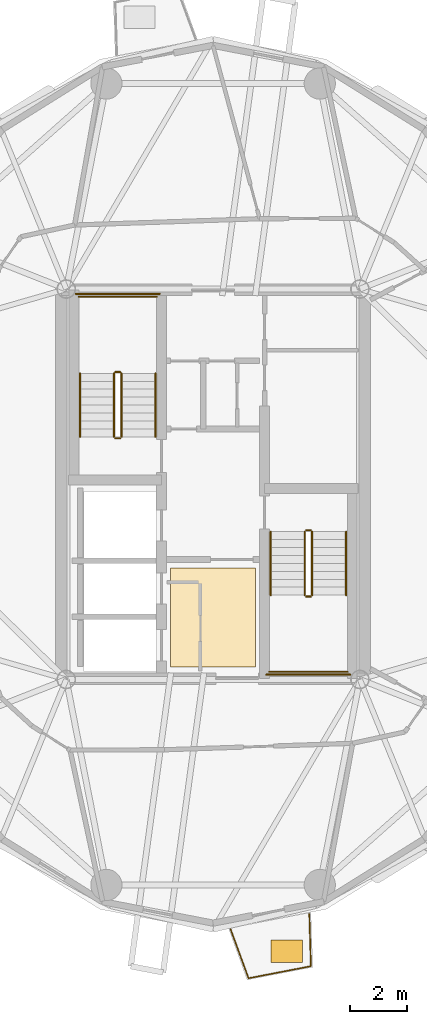
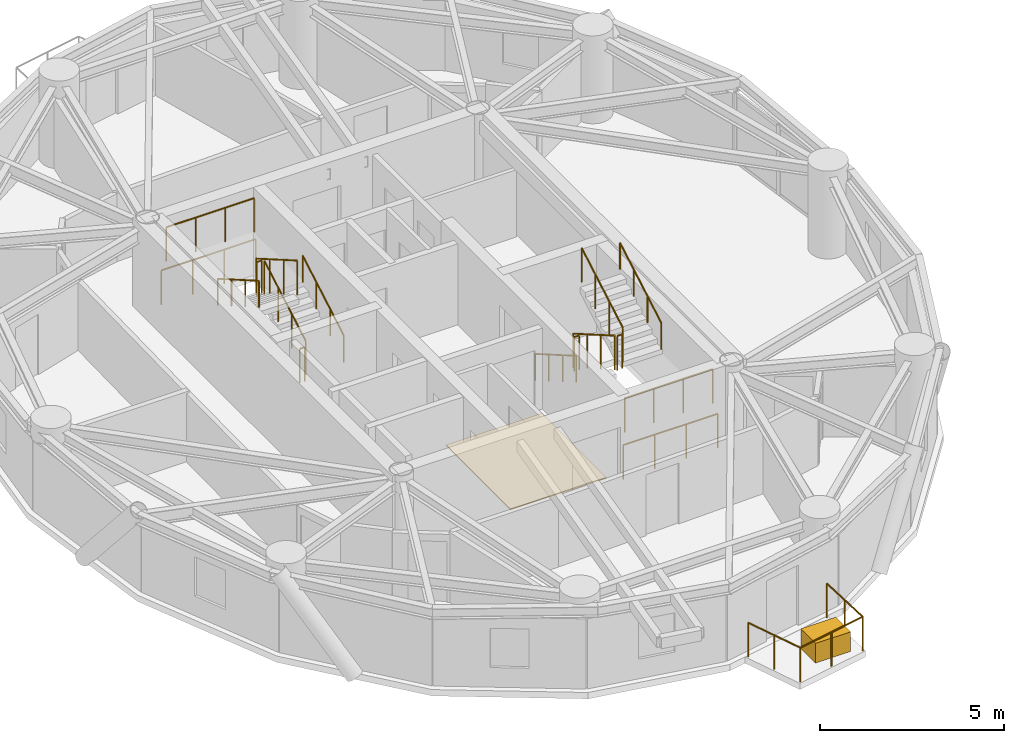
# One storey, part 15 of 17: 17 railings, 2 coverings.
"""IFC4 building model written with IfcOpenShell, lengths in metres."""

from ifc_helpers import new_model, si_unit, direction, frame, origin, origin_2d, place, context, subcontext, project, spatial, polyline, rectangle, circle, outline, extrude, source, transform, mapped, material, layer, layer_set, type_object, element, save


model = new_model("IFC4")

# Units and contexts
model_context = context("Model", 3, precision=1e-05, world=origin(), true_north=direction((0.0, 1.0)))
body_context = subcontext(model_context, "Body", "Model", "MODEL_VIEW")
ifc_project = project(units=[si_unit("LENGTHUNIT", "METRE"), si_unit("AREAUNIT", "SQUARE_METRE"), si_unit("VOLUMEUNIT", "CUBIC_METRE"), si_unit("PLANEANGLEUNIT", "RADIAN"), si_unit("MASSUNIT", "GRAM", prefix="KILO")], contexts=[model_context])

# Site, building, storey
site_placement = place(None, origin())
site = spatial("IfcSite", under=ifc_project, at=site_placement, CompositionType="ELEMENT")
building_placement = place(site_placement, origin())
building = spatial("IfcBuilding", under=site, at=building_placement, Name="Cununo Teusaquillo Station Towers", CompositionType="ELEMENT")
storey_placement = place(building_placement, frame((0.0, 0.0, 205.389892578125)))
storey = spatial("IfcBuildingStorey", under=building, at=storey_placement, Name="L65", CompositionType="ELEMENT", Elevation=205.389892578125)

# Covering
ifc_material_1 = material(Name="Polished basalt-chip terrazzo floor finish", Category="masonry")
ifc_layer_1 = layer(ifc_material_1, 0.034912109375)
ifc_layer_set_1 = layer_set([ifc_layer_1], Name="Polished basalt-chip terrazzo floor finish")
covering_type_1 = type_object("IfcCoveringType", Name="COV-FLR-TERR", PredefinedType="FLOORING", material=ifc_layer_set_1)
covering_1_placement = place(storey_placement, origin())
element("IfcCovering", 1, at=covering_1_placement, inside=storey, type_object=covering_type_1, Name="L65 Polished Terrazzo Floor Finish", PredefinedType="FLOORING", context=body_context, shape_type="SweptSolid", body=[
    extrude(outline(polyline([(15.0, 18.050048828125), (18.0, 18.050048828125), (18.0, 21.550048828125), (15.0, 21.550048828125), (15.0, 18.050048828125)])), origin(), (0.0, 0.0, 1.0), 0.03515625),
])

# Railings
ifc_material_2 = material(Name="Anodised dark bronze aluminium EN AW-6063-T6", Category="aluminium")
railing_type_1 = type_object("IfcRailingType", Name="RL-EXT-GUARD", PredefinedType="GUARDRAIL", material=ifc_material_2)
railing_1_placement = place(storey_placement, frame((19.892578125, 9.356201171875, 0.0)))
element("IfcRailing", 2, at=railing_1_placement, inside=storey, type_object=railing_type_1, Name="L65 Tower A Balcony Guardrail C15", PredefinedType="GUARDRAIL", context=body_context, shape_type="SweptSolid", body=[
    extrude(circle(Radius=0.02392578125, at=origin_2d()), frame((0.0, 0.0, 1.1259765625), z_axis=(0.030305152758, -0.999540693377, 0.0), x_axis=(0.999540693377, 0.030305152758, 0.0)), (0.0, 0.0, 1.0), 1.8447265625),
    extrude(circle(Radius=0.02392578125, at=origin_2d()), frame((0.055908203125, -1.843994140625, 1.1259765625), z_axis=(-0.981834932982, -0.18973709278, 0.0), x_axis=(0.18973709278, -0.981834932982, 0.0)), (0.0, 0.0, 1.0), 2.239013671875),
    extrude(circle(Radius=0.02392578125, at=origin_2d()), frame((-2.142333984375, -2.268798828125, 1.1259765625), z_axis=(-0.344196323776, 0.938897699805, 0.0), x_axis=(-0.938897699805, -0.344196323776, 0.0)), (0.0, 0.0, 1.0), 1.844970703125),
    extrude(circle(Radius=0.02099609375, at=origin_2d()), origin(), (0.0, 0.0, 1.0), 1.101806640625),
    extrude(circle(Radius=0.02099609375, at=origin_2d()), frame((0.02783203125, -0.921875, 0.0)), (0.0, 0.0, 1.0), 1.101806640625),
    extrude(circle(Radius=0.02099609375, at=origin_2d()), frame((0.055908203125, -1.843994140625, 0.0)), (0.0, 0.0, 1.0), 1.101806640625),
    extrude(circle(Radius=0.02099609375, at=origin_2d()), frame((-1.043212890625, -2.056396484375, 0.0)), (0.0, 0.0, 1.0), 1.101806640625),
    extrude(circle(Radius=0.02099609375, at=origin_2d()), frame((-2.142333984375, -2.268798828125, 0.0)), (0.0, 0.0, 1.0), 1.101806640625),
    extrude(circle(Radius=0.02099609375, at=origin_2d()), frame((-2.4599609375, -1.40283203125, 0.0)), (0.0, 0.0, 1.0), 1.101806640625),
    extrude(circle(Radius=0.02099609375, at=origin_2d()), frame((-2.77734375, -0.53662109375, 0.0)), (0.0, 0.0, 1.0), 1.101806640625),
])
ifc_material_3 = material(Name="Steel EN 10025-2 S355J2", Category="steel")
railing_type_2 = type_object("IfcRailingType", Name="RL-INT-GUARD", PredefinedType="GUARDRAIL", material=ifc_material_3)
railing_2_placement = place(storey_placement, frame((13.27001953125, 26.169921875, 0.161865234375)))
element("IfcRailing", 3, at=railing_2_placement, inside=storey, type_object=railing_type_2, Name="L65 ST-T1-1 stair guard 1", PredefinedType="GUARDRAIL", context=body_context, shape_type="SweptSolid", body=[
    extrude(circle(Radius=0.02392578125, at=origin_2d()), frame((0.0, 0.0, 1.1259765625), z_axis=(0.0, 0.866033117094, 0.499986639918), x_axis=(-1.0, 0.0, 0.0)), (0.0, 0.0, 1.0), 2.58642578125),
    extrude(circle(Radius=0.02099609375, at=origin_2d()), origin(), (0.0, 0.0, 1.0), 1.101806640625),
    extrude(circle(Radius=0.02099609375, at=origin_2d()), frame((0.0, 0.74658203125, 0.43115234375)), (0.0, 0.0, 1.0), 1.101806640625),
    extrude(circle(Radius=0.02099609375, at=origin_2d()), frame((0.0, 1.493408203125, 0.862060546875)), (0.0, 0.0, 1.0), 1.101806640625),
    extrude(circle(Radius=0.02099609375, at=origin_2d()), frame((0.0, 2.239990234375, 1.293212890625)), (0.0, 0.0, 1.0), 1.101806640625),
])
railing_3_placement = place(storey_placement, frame((13.219970703125, 28.4599609375, 1.455078125)))
element("IfcRailing", 4, at=railing_3_placement, inside=storey, type_object=railing_type_2, Name="L65 ST-T1-1 stair guard 2", PredefinedType="GUARDRAIL", context=body_context, shape_type="SweptSolid", body=[
    extrude(circle(Radius=0.02392578125, at=origin_2d()), frame((0.0, 0.0, 1.1259765625), z_axis=(-1.0, 0.0, 0.0), x_axis=(0.0, -1.0, 0.0)), (0.0, 0.0, 1.0), 0.159912109375),
    extrude(circle(Radius=0.02099609375, at=origin_2d()), origin(), (0.0, 0.0, 1.0), 1.101806640625),
    extrude(circle(Radius=0.02099609375, at=origin_2d()), frame((-0.159912109375, 0.0, 0.0)), (0.0, 0.0, 1.0), 1.101806640625),
])
railing_4_placement = place(storey_placement, frame((14.52001953125, 31.110107421875, 1.455078125)))
element("IfcRailing", 5, at=railing_4_placement, inside=storey, type_object=railing_type_2, Name="L65 ST-T1-1 stair guard 3", PredefinedType="GUARDRAIL", context=body_context, shape_type="SweptSolid", body=[
    extrude(circle(Radius=0.02392578125, at=origin_2d()), frame((0.0, 0.0, 1.1259765625), z_axis=(-1.0, 0.0, 0.0), x_axis=(0.0, -1.0, 0.0)), (0.0, 0.0, 1.0), 2.760009765625),
    extrude(circle(Radius=0.02099609375, at=origin_2d()), origin(), (0.0, 0.0, 1.0), 1.101806640625),
    extrude(circle(Radius=0.02099609375, at=origin_2d()), frame((-0.919921875, 0.0, 0.0)), (0.0, 0.0, 1.0), 1.101806640625),
    extrude(circle(Radius=0.02099609375, at=origin_2d()), frame((-1.840087890625, 0.0, 0.0)), (0.0, 0.0, 1.0), 1.101806640625),
    extrude(circle(Radius=0.02099609375, at=origin_2d()), frame((-2.760009765625, 0.0, 0.0)), (0.0, 0.0, 1.0), 1.101806640625),
])
railing_5_placement = place(storey_placement, frame((13.010009765625, 28.409912109375, 1.61669921875)))
element("IfcRailing", 6, at=railing_5_placement, inside=storey, type_object=railing_type_2, Name="L65 ST-T1-1 stair guard 4", PredefinedType="GUARDRAIL", context=body_context, shape_type="SweptSolid", body=[
    extrude(circle(Radius=0.02392578125, at=origin_2d()), frame((0.0, 0.0, 1.1259765625), z_axis=(0.0, -0.865992244559, 0.500057429065), x_axis=(1.0, 0.0, 0.0)), (0.0, 0.0, 1.0), 2.586669921875),
    extrude(circle(Radius=0.02099609375, at=origin_2d()), origin(), (0.0, 0.0, 1.0), 1.101806640625),
    extrude(circle(Radius=0.02099609375, at=origin_2d()), frame((0.0, -0.74658203125, 0.43115234375)), (0.0, 0.0, 1.0), 1.101806640625),
    extrude(circle(Radius=0.02099609375, at=origin_2d()), frame((0.0, -1.493408203125, 0.8623046875)), (0.0, 0.0, 1.0), 1.101806640625),
    extrude(circle(Radius=0.02099609375, at=origin_2d()), frame((0.0, -2.239990234375, 1.29345703125)), (0.0, 0.0, 1.0), 1.101806640625),
])
railing_6_placement = place(storey_placement, frame((13.219970703125, 26.1201171875, 0.0)))
element("IfcRailing", 7, at=railing_6_placement, inside=storey, type_object=railing_type_2, Name="L65 ST-T1-1 stair guard 5", PredefinedType="GUARDRAIL", context=body_context, shape_type="SweptSolid", body=[
    extrude(circle(Radius=0.02392578125, at=origin_2d()), frame((0.0, 0.0, 1.1259765625), z_axis=(-1.0, 0.0, 0.0), x_axis=(0.0, -1.0, 0.0)), (0.0, 0.0, 1.0), 0.159912109375),
    extrude(circle(Radius=0.02099609375, at=origin_2d()), origin(), (0.0, 0.0, 1.0), 1.101806640625),
    extrude(circle(Radius=0.02099609375, at=origin_2d()), frame((-0.159912109375, 0.0, 0.0)), (0.0, 0.0, 1.0), 1.101806640625),
])
railing_7_placement = place(storey_placement, frame((14.6201171875, 31.2099609375, 0.0)))
element("IfcRailing", 8, at=railing_7_placement, inside=storey, type_object=railing_type_2, Name="L65 ST-T1-1 stair guard 6", PredefinedType="GUARDRAIL", context=body_context, shape_type="SweptSolid", body=[
    extrude(circle(Radius=0.02392578125, at=origin_2d()), frame((0.0, 0.0, 1.1259765625), z_axis=(-1.0, 0.0, 0.0), x_axis=(0.0, -1.0, 0.0)), (0.0, 0.0, 1.0), 2.960205078125),
    extrude(circle(Radius=0.02099609375, at=origin_2d()), origin(), (0.0, 0.0, 1.0), 1.101806640625),
    extrude(circle(Radius=0.02099609375, at=origin_2d()), frame((-0.98681640625, 0.0, 0.0)), (0.0, 0.0, 1.0), 1.101806640625),
    extrude(circle(Radius=0.02099609375, at=origin_2d()), frame((-1.973388671875, 0.0, 0.0)), (0.0, 0.0, 1.0), 1.101806640625),
    extrude(circle(Radius=0.02099609375, at=origin_2d()), frame((-2.960205078125, 0.0, 0.0)), (0.0, 0.0, 1.0), 1.101806640625),
])
railing_8_placement = place(storey_placement, frame((19.72998046875, 22.830078125, 0.161865234375)))
element("IfcRailing", 9, at=railing_8_placement, inside=storey, type_object=railing_type_2, Name="L65 ST-T1-2 stair guard 1", PredefinedType="GUARDRAIL", context=body_context, shape_type="SweptSolid", body=[
    extrude(circle(Radius=0.02392578125, at=origin_2d()), frame((0.0, 0.0, 1.1259765625), z_axis=(0.0, -0.866033117094, 0.499986639918), x_axis=(1.0, 0.0, 0.0)), (0.0, 0.0, 1.0), 2.58642578125),
    extrude(circle(Radius=0.02099609375, at=origin_2d()), origin(), (0.0, 0.0, 1.0), 1.101806640625),
    extrude(circle(Radius=0.02099609375, at=origin_2d()), frame((0.0, -0.74658203125, 0.43115234375)), (0.0, 0.0, 1.0), 1.101806640625),
    extrude(circle(Radius=0.02099609375, at=origin_2d()), frame((0.0, -1.493408203125, 0.862060546875)), (0.0, 0.0, 1.0), 1.101806640625),
    extrude(circle(Radius=0.02099609375, at=origin_2d()), frame((0.0, -2.239990234375, 1.293212890625)), (0.0, 0.0, 1.0), 1.101806640625),
])
railing_9_placement = place(storey_placement, frame((19.780029296875, 20.5400390625, 1.455078125)))
element("IfcRailing", 10, at=railing_9_placement, inside=storey, type_object=railing_type_2, Name="L65 ST-T1-2 stair guard 2", PredefinedType="GUARDRAIL", context=body_context, shape_type="SweptSolid", body=[
    extrude(circle(Radius=0.02392578125, at=origin_2d()), frame((0.0, 0.0, 1.1259765625), z_axis=(1.0, 0.0, 0.0), x_axis=(0.0, 1.0, 0.0)), (0.0, 0.0, 1.0), 0.159912109375),
    extrude(circle(Radius=0.02099609375, at=origin_2d()), origin(), (0.0, 0.0, 1.0), 1.101806640625),
    extrude(circle(Radius=0.02099609375, at=origin_2d()), frame((0.159912109375, 0.0, 0.0)), (0.0, 0.0, 1.0), 1.101806640625),
])
railing_10_placement = place(storey_placement, frame((18.47998046875, 17.889892578125, 1.455078125)))
element("IfcRailing", 11, at=railing_10_placement, inside=storey, type_object=railing_type_2, Name="L65 ST-T1-2 stair guard 3", PredefinedType="GUARDRAIL", context=body_context, shape_type="SweptSolid", body=[
    extrude(circle(Radius=0.02392578125, at=origin_2d()), frame((0.0, 0.0, 1.1259765625), z_axis=(1.0, 0.0, 0.0), x_axis=(0.0, 1.0, 0.0)), (0.0, 0.0, 1.0), 2.760009765625),
    extrude(circle(Radius=0.02099609375, at=origin_2d()), origin(), (0.0, 0.0, 1.0), 1.101806640625),
    extrude(circle(Radius=0.02099609375, at=origin_2d()), frame((0.919921875, 0.0, 0.0)), (0.0, 0.0, 1.0), 1.101806640625),
    extrude(circle(Radius=0.02099609375, at=origin_2d()), frame((1.840087890625, 0.0, 0.0)), (0.0, 0.0, 1.0), 1.101806640625),
    extrude(circle(Radius=0.02099609375, at=origin_2d()), frame((2.760009765625, 0.0, 0.0)), (0.0, 0.0, 1.0), 1.101806640625),
])
railing_11_placement = place(storey_placement, frame((19.989990234375, 20.590087890625, 1.61669921875)))
element("IfcRailing", 12, at=railing_11_placement, inside=storey, type_object=railing_type_2, Name="L65 ST-T1-2 stair guard 4", PredefinedType="GUARDRAIL", context=body_context, shape_type="SweptSolid", body=[
    extrude(circle(Radius=0.02392578125, at=origin_2d()), frame((0.0, 0.0, 1.1259765625), z_axis=(0.0, 0.865992244559, 0.500057429065), x_axis=(-1.0, 0.0, 0.0)), (0.0, 0.0, 1.0), 2.586669921875),
    extrude(circle(Radius=0.02099609375, at=origin_2d()), origin(), (0.0, 0.0, 1.0), 1.101806640625),
    extrude(circle(Radius=0.02099609375, at=origin_2d()), frame((0.0, 0.74658203125, 0.43115234375)), (0.0, 0.0, 1.0), 1.101806640625),
    extrude(circle(Radius=0.02099609375, at=origin_2d()), frame((0.0, 1.493408203125, 0.8623046875)), (0.0, 0.0, 1.0), 1.101806640625),
    extrude(circle(Radius=0.02099609375, at=origin_2d()), frame((0.0, 2.239990234375, 1.29345703125)), (0.0, 0.0, 1.0), 1.101806640625),
])
railing_12_placement = place(storey_placement, frame((19.780029296875, 22.8798828125, 0.0)))
element("IfcRailing", 13, at=railing_12_placement, inside=storey, type_object=railing_type_2, Name="L65 ST-T1-2 stair guard 5", PredefinedType="GUARDRAIL", context=body_context, shape_type="SweptSolid", body=[
    extrude(circle(Radius=0.02392578125, at=origin_2d()), frame((0.0, 0.0, 1.1259765625), z_axis=(1.0, 0.0, 0.0), x_axis=(0.0, 1.0, 0.0)), (0.0, 0.0, 1.0), 0.159912109375),
    extrude(circle(Radius=0.02099609375, at=origin_2d()), origin(), (0.0, 0.0, 1.0), 1.101806640625),
    extrude(circle(Radius=0.02099609375, at=origin_2d()), frame((0.159912109375, 0.0, 0.0)), (0.0, 0.0, 1.0), 1.101806640625),
])
railing_13_placement = place(storey_placement, frame((18.3798828125, 17.7900390625, 0.0)))
element("IfcRailing", 14, at=railing_13_placement, inside=storey, type_object=railing_type_2, Name="L65 ST-T1-2 stair guard 6", PredefinedType="GUARDRAIL", context=body_context, shape_type="SweptSolid", body=[
    extrude(circle(Radius=0.02392578125, at=origin_2d()), frame((0.0, 0.0, 1.1259765625), z_axis=(1.0, 0.0, 0.0), x_axis=(0.0, 1.0, 0.0)), (0.0, 0.0, 1.0), 2.960205078125),
    extrude(circle(Radius=0.02099609375, at=origin_2d()), origin(), (0.0, 0.0, 1.0), 1.101806640625),
    extrude(circle(Radius=0.02099609375, at=origin_2d()), frame((0.98681640625, 0.0, 0.0)), (0.0, 0.0, 1.0), 1.101806640625),
    extrude(circle(Radius=0.02099609375, at=origin_2d()), frame((1.973388671875, 0.0, 0.0)), (0.0, 0.0, 1.0), 1.101806640625),
    extrude(circle(Radius=0.02099609375, at=origin_2d()), frame((2.960205078125, 0.0, 0.0)), (0.0, 0.0, 1.0), 1.101806640625),
])
ifc_material_4 = material(Name="Steel EN 10025-2 S355J2", Category="steel")
railing_type_3 = type_object("IfcRailingType", Name="RL-INT-HRAIL", PredefinedType="HANDRAIL", material=ifc_material_4)
railing_14_placement = place(storey_placement, frame((14.469970703125, 26.169921875, 0.161865234375)))
element("IfcRailing", 15, at=railing_14_placement, inside=storey, type_object=railing_type_3, Name="L65 ST-T1-1 stair handrail 1", PredefinedType="HANDRAIL", context=body_context, shape_type="SweptSolid", body=[
    extrude(circle(Radius=0.02392578125, at=origin_2d()), frame((0.0, 0.0, 0.8759765625), z_axis=(0.0, 0.866033117094, 0.499986639918), x_axis=(-1.0, 0.0, 0.0)), (0.0, 0.0, 1.0), 2.58642578125),
    extrude(circle(Radius=0.02099609375, at=origin_2d()), origin(), (0.0, 0.0, 1.0), 0.851806640625),
    extrude(circle(Radius=0.02099609375, at=origin_2d()), frame((0.0, 0.74658203125, 0.43115234375)), (0.0, 0.0, 1.0), 0.851806640625),
    extrude(circle(Radius=0.02099609375, at=origin_2d()), frame((0.0, 1.493408203125, 0.862060546875)), (0.0, 0.0, 1.0), 0.851806640625),
    extrude(circle(Radius=0.02099609375, at=origin_2d()), frame((0.0, 2.239990234375, 1.293212890625)), (0.0, 0.0, 1.0), 0.851806640625),
])
railing_15_placement = place(storey_placement, frame((11.81005859375, 28.409912109375, 1.61669921875)))
element("IfcRailing", 16, at=railing_15_placement, inside=storey, type_object=railing_type_3, Name="L65 ST-T1-1 stair handrail 2", PredefinedType="HANDRAIL", context=body_context, shape_type="SweptSolid", body=[
    extrude(circle(Radius=0.02392578125, at=origin_2d()), frame((0.0, 0.0, 0.8759765625), z_axis=(0.0, -0.865992244559, 0.500057429065), x_axis=(1.0, 0.0, 0.0)), (0.0, 0.0, 1.0), 2.586669921875),
    extrude(circle(Radius=0.02099609375, at=origin_2d()), origin(), (0.0, 0.0, 1.0), 0.851806640625),
    extrude(circle(Radius=0.02099609375, at=origin_2d()), frame((0.0, -0.74658203125, 0.43115234375)), (0.0, 0.0, 1.0), 0.851806640625),
    extrude(circle(Radius=0.02099609375, at=origin_2d()), frame((0.0, -1.493408203125, 0.8623046875)), (0.0, 0.0, 1.0), 0.851806640625),
    extrude(circle(Radius=0.02099609375, at=origin_2d()), frame((0.0, -2.239990234375, 1.29345703125)), (0.0, 0.0, 1.0), 0.851806640625),
])
railing_16_placement = place(storey_placement, frame((18.530029296875, 22.830078125, 0.161865234375)))
element("IfcRailing", 17, at=railing_16_placement, inside=storey, type_object=railing_type_3, Name="L65 ST-T1-2 stair handrail 1", PredefinedType="HANDRAIL", context=body_context, shape_type="SweptSolid", body=[
    extrude(circle(Radius=0.02392578125, at=origin_2d()), frame((0.0, 0.0, 0.8759765625), z_axis=(0.0, -0.866033117094, 0.499986639918), x_axis=(1.0, 0.0, 0.0)), (0.0, 0.0, 1.0), 2.58642578125),
    extrude(circle(Radius=0.02099609375, at=origin_2d()), origin(), (0.0, 0.0, 1.0), 0.851806640625),
    extrude(circle(Radius=0.02099609375, at=origin_2d()), frame((0.0, -0.74658203125, 0.43115234375)), (0.0, 0.0, 1.0), 0.851806640625),
    extrude(circle(Radius=0.02099609375, at=origin_2d()), frame((0.0, -1.493408203125, 0.862060546875)), (0.0, 0.0, 1.0), 0.851806640625),
    extrude(circle(Radius=0.02099609375, at=origin_2d()), frame((0.0, -2.239990234375, 1.293212890625)), (0.0, 0.0, 1.0), 0.851806640625),
])
railing_17_placement = place(storey_placement, frame((21.18994140625, 20.590087890625, 1.61669921875)))
element("IfcRailing", 18, at=railing_17_placement, inside=storey, type_object=railing_type_3, Name="L65 ST-T1-2 stair handrail 2", PredefinedType="HANDRAIL", context=body_context, shape_type="SweptSolid", body=[
    extrude(circle(Radius=0.02392578125, at=origin_2d()), frame((0.0, 0.0, 0.8759765625), z_axis=(0.0, 0.865992244559, 0.500057429065), x_axis=(-1.0, 0.0, 0.0)), (0.0, 0.0, 1.0), 2.586669921875),
    extrude(circle(Radius=0.02099609375, at=origin_2d()), origin(), (0.0, 0.0, 1.0), 0.851806640625),
    extrude(circle(Radius=0.02099609375, at=origin_2d()), frame((0.0, 0.74658203125, 0.43115234375)), (0.0, 0.0, 1.0), 0.851806640625),
    extrude(circle(Radius=0.02099609375, at=origin_2d()), frame((0.0, 1.493408203125, 0.8623046875)), (0.0, 0.0, 1.0), 0.851806640625),
    extrude(circle(Radius=0.02099609375, at=origin_2d()), frame((0.0, 2.239990234375, 1.29345703125)), (0.0, 0.0, 1.0), 0.851806640625),
])

# Covering
ifc_material_5 = material(Name="Architectural GRC planter shell and engineered root-zone substrate", Category="concrete")
ifc_layer_2 = layer(ifc_material_5, 0.64990234375)
ifc_layer_set_2 = layer_set([ifc_layer_2], Name="Architectural GRC planter shell and engineered root-zone substrate")
covering_type_2 = type_object("IfcCoveringType", Name="COV-TREE-PLANTER", PredefinedType="CLADDING", material=ifc_layer_set_2)
shared_shape = source(origin(), body_context, "Body", "SweptSolid", [
    extrude(rectangle(XDim=1.10009765625, YDim=0.800048828125, at=origin_2d()), origin(), (0.0, 0.0, 1.0), 0.64990234375),
])
covering_2_placement = place(storey_placement, frame((19.097900390625, 8.04345703125, 0.000244140625), z_axis=(0.0, 0.0, 1.0), x_axis=(1.0, 0.0, 0.0)))
element("IfcCovering", 19, at=covering_2_placement, inside=storey, type_object=covering_type_2, Name="L65 Tower A Balcony Tree PLANTER C15", PredefinedType="CLADDING", context=body_context, shape_type="MappedRepresentation", body=[
    mapped(shared_shape, transform((0.0, 0.0, 0.0), x_axis=(1.0, 0.0, 0.0), y_axis=(0.0, 1.0, 0.0), z_axis=(0.0, 0.0, 1.0), scale=1.0)),
])

save(model, "model.ifc")
